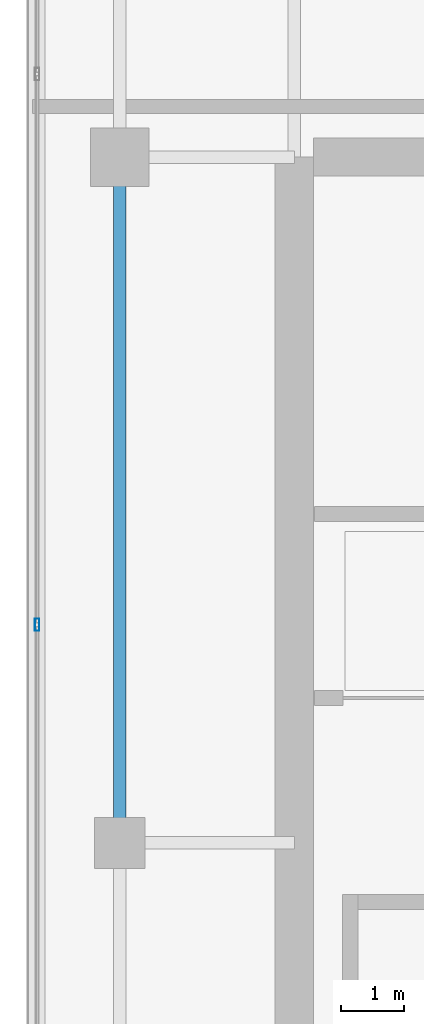
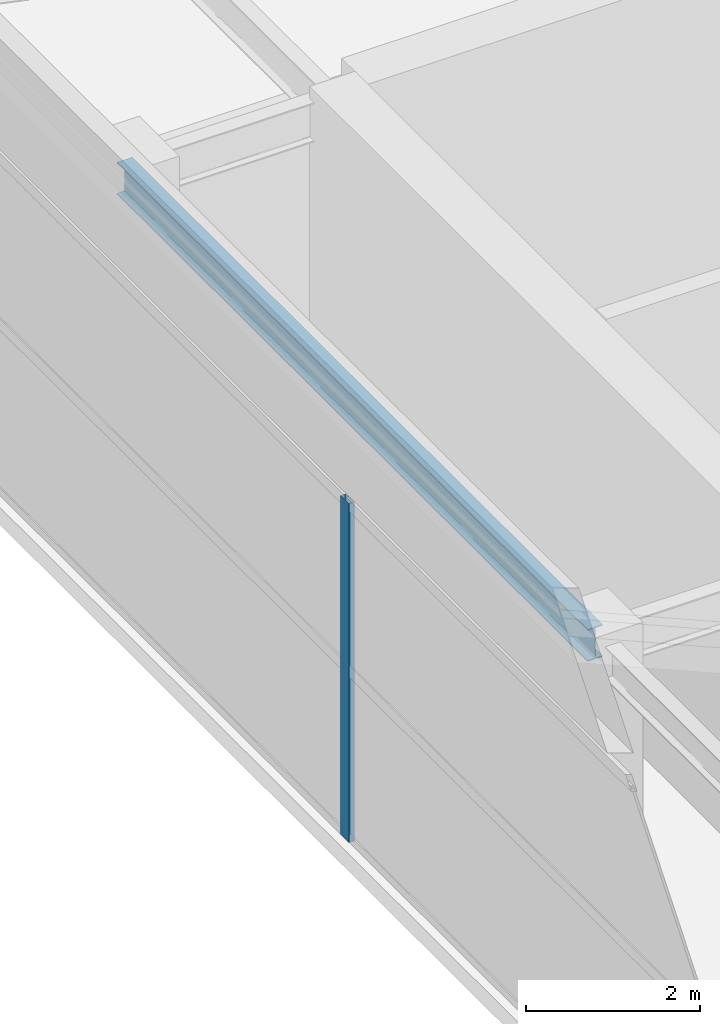
# One storey, part 11 of 20: 1 beam, 1 member, 1 element without a shape of its own.
"""IFC4 building model written with IfcOpenShell, lengths in metres."""

from ifc_helpers import new_model, si_unit, direction, frame, origin, origin_2d, place, context, subcontext, project, spatial, hollow_rectangle, i_section, extrude, material, layer, layer_set, material_profile, profile_set, type_object, element, aggregate, save


model = new_model("IFC4")

# Units and contexts
model_context = context("Model", 3, precision=1e-05, world=origin(), true_north=direction((0.0, 1.0)))
body_context = subcontext(model_context, "Body", "Model", "MODEL_VIEW")
ifc_project = project(units=[si_unit("LENGTHUNIT", "METRE"), si_unit("AREAUNIT", "SQUARE_METRE"), si_unit("VOLUMEUNIT", "CUBIC_METRE"), si_unit("PLANEANGLEUNIT", "RADIAN"), si_unit("MASSUNIT", "GRAM", prefix="KILO")], contexts=[model_context])

# Site, building, storey
site_placement = place(None, origin())
site = spatial("IfcSite", under=ifc_project, at=site_placement, CompositionType="ELEMENT")
building_placement = place(site_placement, origin())
building = spatial("IfcBuilding", under=site, at=building_placement, Name="Calvorn Quay Hotel", CompositionType="ELEMENT")
storey_placement = place(building_placement, frame((0.0, 0.0, 345.5)))
storey = spatial("IfcBuildingStorey", under=building, at=storey_placement, Name="L84", CompositionType="ELEMENT", Elevation=345.5)

# Beam
ifc_material_1 = material(Name="Steel Q355B", Category="steel")
ifc_material_profile_1 = material_profile(ifc_material_1, i_section(OverallWidth=0.199951171875, OverallDepth=0.449951171875, WebThickness=0.009033203125, FlangeThickness=0.013916015625, FilletRadius=0.01611328125, at=origin_2d()), Name="HN450x200x9x14")
ifc_profile_set_1 = profile_set([ifc_material_profile_1], Name="Steel Q355B")
beam_type = type_object("IfcBeamType", Name="BM-SPANDREL-Z3", PredefinedType="SPANDREL", material=ifc_profile_set_1)
beam_placement = place(storey_placement, frame((1.449951171875, 27.60009765625, 4.35498046875), z_axis=(0.0, 1.0, 0.0), x_axis=(-1.0, 0.0, 0.0)))
element("IfcBeam", 1, at=beam_placement, inside=storey, type_object=beam_type, Name="Beam BSP-L84-W3", PredefinedType="SPANDREL", context=body_context, shape_type="SweptSolid", body=[
    extrude(i_section(OverallWidth=0.199951171875, OverallDepth=0.449951171875, WebThickness=0.009033203125, FlangeThickness=0.013916015625, FilletRadius=0.01611328125, at=origin_2d()), origin(), (0.0, 0.0, 1.0), 10.7998046875),
])

# Curtain wall, member
ifc_material_2 = material(Name="Pale Anodised Aluminium and Laminated Glass", Category="aluminium")
ifc_layer = layer(ifc_material_2, 0.219970703125)
ifc_layer_set = layer_set([ifc_layer], Name="CW-SYS-CRN")
curtain_wall_type = type_object("IfcCurtainWallType", Name="CW-SYS-CRN", PredefinedType="NOTDEFINED", material=ifc_layer_set)
curtain_wall_placement = place(storey_placement, origin())
curtain_wall = element("IfcCurtainWall", 2, at=curtain_wall_placement, inside=storey, type_object=curtain_wall_type, Name="Crown Curtain Wall L84-C3", PredefinedType="NOTDEFINED")
ifc_material_3 = material(Name="Pale Anodised Aluminium 6063-T6", Category="aluminium")
ifc_material_profile_2 = material_profile(ifc_material_3, hollow_rectangle(XDim=0.072021484375, YDim=0.195068359375, WallThickness=0.00390625, at=origin_2d()), Name="ALU-M195x72x4")
ifc_profile_set_2 = profile_set([ifc_material_profile_2], Name="Pale Anodised Aluminium 6063-T6")
member_type = type_object("IfcMemberType", Name="CW-SYS-CRN-MUL", PredefinedType="MULLION", material=ifc_profile_set_2)
member_placement = place(storey_placement, frame((0.14990234375, 31.035888671875, 0.0), z_axis=(0.0, 0.0, 1.0), x_axis=(1.0, 0.0, 0.0)))
member = element("IfcMember", 3, at=member_placement, type_object=member_type, Name="CW-L84-C3 mullion 3", PredefinedType="MULLION", context=body_context, shape_type="SweptSolid", body=[
    extrude(hollow_rectangle(XDim=0.072021484375, YDim=0.195068359375, WallThickness=0.00390625, at=origin_2d()), origin(), (0.0, 0.0, 1.0), 4.75),
])
aggregate(curtain_wall, [member])

save(model, "model.ifc")
